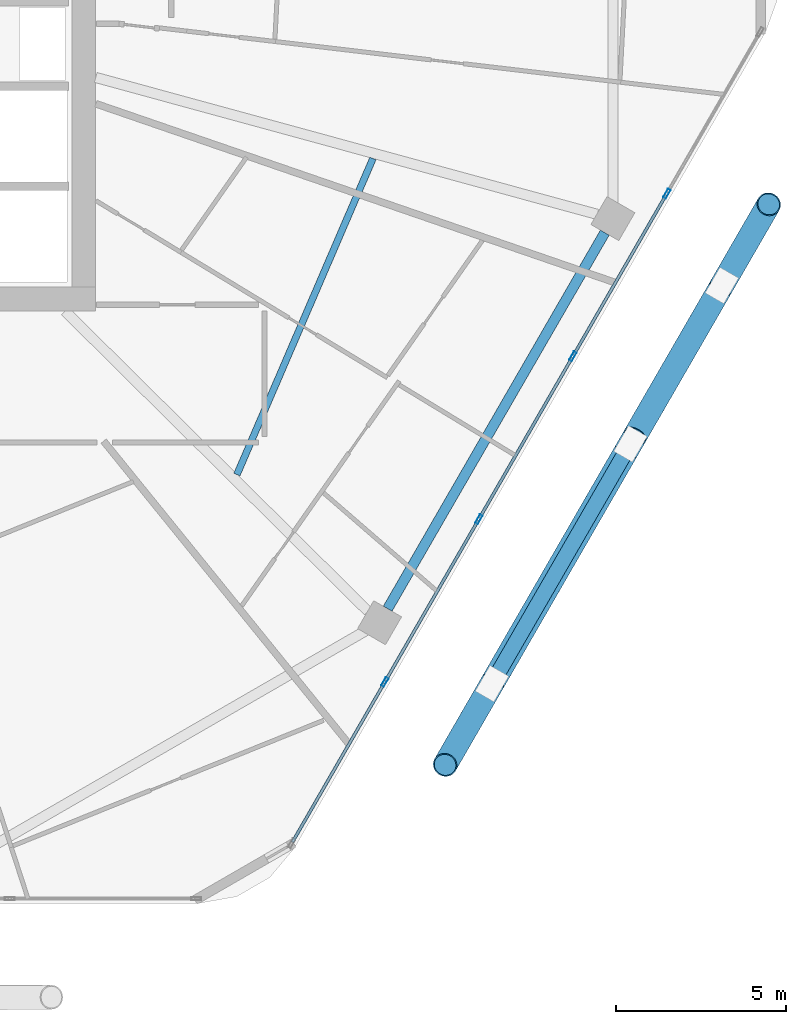
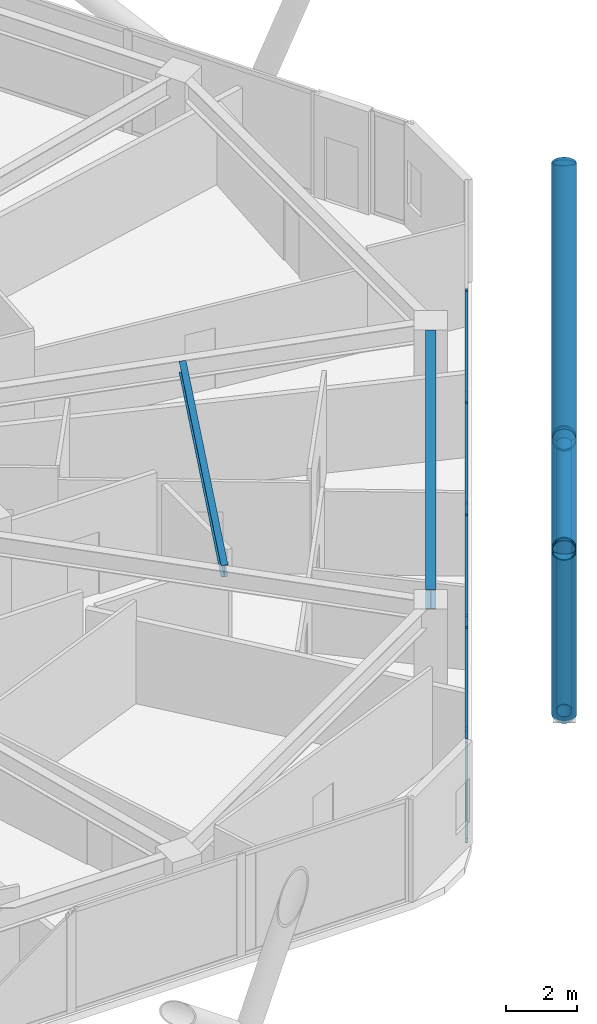
# One storey, part 8 of 27: 18 members, 2 beams, 1 element without a shape of its own.
"""IFC4 building model written with IfcOpenShell, lengths in metres."""

from ifc_helpers import new_model, si_unit, direction, frame, origin, origin_2d, place, context, subcontext, project, spatial, hollow_rectangle, hollow_circle, i_section, extrude, material, material_profile, profile_set, type_object, element, aggregate, save


model = new_model("IFC4")

# Units and contexts
model_context = context("Model", 3, precision=1e-05, world=origin(), true_north=direction((0.0, 1.0)))
body_context = subcontext(model_context, "Body", "Model", "MODEL_VIEW")
ifc_project = project(units=[si_unit("LENGTHUNIT", "METRE"), si_unit("AREAUNIT", "SQUARE_METRE"), si_unit("VOLUMEUNIT", "CUBIC_METRE"), si_unit("PLANEANGLEUNIT", "RADIAN"), si_unit("MASSUNIT", "GRAM", prefix="KILO")], contexts=[model_context])

# Site, building, storey
site_placement = place(None, origin())
site = spatial("IfcSite", under=ifc_project, at=site_placement, CompositionType="ELEMENT")
building_placement = place(site_placement, origin())
building = spatial("IfcBuilding", under=site, at=building_placement, Name="Zuhravey Tower", CompositionType="ELEMENT")
storey_placement = place(building_placement, frame((0.0, 0.0, 215.0)))
storey = spatial("IfcBuildingStorey", under=building, at=storey_placement, Name="L54", CompositionType="ELEMENT", Elevation=215.0)

# Curtain wall, members
ifc_material_1 = material(Name="Thermally broken anodised aluminium", Category="aluminium")
curtain_wall_type = type_object("IfcCurtainWallType", Name="Zone 1-2 Residential Curtain Wall CW3", PredefinedType="NOTDEFINED", material=ifc_material_1)
curtain_wall_placement = place(storey_placement, origin())
curtain_wall = element("IfcCurtainWall", 1, at=curtain_wall_placement, inside=storey, type_object=curtain_wall_type, Name="L54 CW3 CW-L54-F6-1", PredefinedType="NOTDEFINED")
ifc_material_2 = material(Name="Anodised aluminium", Category="aluminium")
ifc_material_profile_1 = material_profile(ifc_material_2, hollow_rectangle(XDim=0.090087890625, YDim=0.284912109375, WallThickness=0.0048828125, at=origin_2d()), Name="ALU-RHS-90x285x5")
ifc_profile_set_1 = profile_set([ifc_material_profile_1], Name="Anodised aluminium")
member_type_1 = type_object("IfcMemberType", Name="Curtain-Wall Mullion 90x180", PredefinedType="MULLION", material=ifc_profile_set_1)
member_1_placement = place(storey_placement, frame((63.699462890625, 25.61083984375, 0.0), z_axis=(0.0, 0.0, 1.0), x_axis=(0.866025138215, -0.500000459979, 0.0)))
member_1 = element("IfcMember", 2, at=member_1_placement, type_object=member_type_1, Name="CW3 mullion 2", PredefinedType="MULLION", context=body_context, shape_type="SweptSolid", body=[
    extrude(hollow_rectangle(XDim=0.090087890625, YDim=0.284912109375, WallThickness=0.0048828125, at=origin_2d()), origin(), (0.0, 0.0, 1.0), 3.550048828125),
])
member_2_placement = place(storey_placement, frame((60.92724609375, 20.809326171875, 0.0), z_axis=(0.0, 0.0, 1.0), x_axis=(0.866025138215, -0.500000459979, 0.0)))
member_2 = element("IfcMember", 3, at=member_2_placement, type_object=member_type_1, Name="CW3 mullion 3", PredefinedType="MULLION", context=body_context, shape_type="SweptSolid", body=[
    extrude(hollow_rectangle(XDim=0.090087890625, YDim=0.284912109375, WallThickness=0.0048828125, at=origin_2d()), origin(), (0.0, 0.0, 1.0), 3.550048828125),
])
member_3_placement = place(storey_placement, frame((58.155029296875, 16.007568359375, 0.0), z_axis=(0.0, 0.0, 1.0), x_axis=(0.866025138215, -0.500000459979, 0.0)))
member_3 = element("IfcMember", 4, at=member_3_placement, type_object=member_type_1, Name="CW3 mullion 4", PredefinedType="MULLION", context=body_context, shape_type="SweptSolid", body=[
    extrude(hollow_rectangle(XDim=0.090087890625, YDim=0.284912109375, WallThickness=0.0048828125, at=origin_2d()), origin(), (0.0, 0.0, 1.0), 3.550048828125),
])
member_4_placement = place(storey_placement, frame((55.3828125, 11.2060546875, 0.0), z_axis=(0.0, 0.0, 1.0), x_axis=(0.866025138215, -0.500000459979, 0.0)))
member_4 = element("IfcMember", 5, at=member_4_placement, type_object=member_type_1, Name="CW3 mullion 5", PredefinedType="MULLION", context=body_context, shape_type="SweptSolid", body=[
    extrude(hollow_rectangle(XDim=0.090087890625, YDim=0.284912109375, WallThickness=0.0048828125, at=origin_2d()), origin(), (0.0, 0.0, 1.0), 3.550048828125),
])
ifc_material_profile_2 = material_profile(ifc_material_2, hollow_rectangle(XDim=0.090087890625, YDim=0.14990234375, WallThickness=0.0048828125, at=origin_2d()), Name="ALU-RHS-90x150x5")
ifc_profile_set_2 = profile_set([ifc_material_profile_2], Name="Anodised aluminium")
member_type_2 = type_object("IfcMemberType", Name="Curtain-Wall Transom 90x150", PredefinedType="USERDEFINED", material=ifc_profile_set_2)
member_5_placement = place(storey_placement, frame((63.677001953125, 25.572021484375, 0.044921875), z_axis=(-0.49996138257, -0.86604769842, 0.0), x_axis=(0.86604769842, -0.49996138257, 0.0)))
member_5 = element("IfcMember", 6, at=member_5_placement, type_object=member_type_2, Name="CW3 transom 2.1", ObjectType="TRANSOM", PredefinedType="USERDEFINED", context=body_context, shape_type="SweptSolid", body=[
    extrude(hollow_rectangle(XDim=0.090087890625, YDim=0.14990234375, WallThickness=0.0048828125, at=origin_2d()), origin(), (0.0, 0.0, 1.0), 5.45458984375),
])
member_6_placement = place(storey_placement, frame((63.677001953125, 25.572021484375, 3.5048828125), z_axis=(-0.49996138257, -0.86604769842, 0.0), x_axis=(0.86604769842, -0.49996138257, 0.0)))
member_6 = element("IfcMember", 7, at=member_6_placement, type_object=member_type_2, Name="CW3 transom 2.2", ObjectType="TRANSOM", PredefinedType="USERDEFINED", context=body_context, shape_type="SweptSolid", body=[
    extrude(hollow_rectangle(XDim=0.090087890625, YDim=0.14990234375, WallThickness=0.0048828125, at=origin_2d()), origin(), (0.0, 0.0, 1.0), 5.45458984375),
])
member_7_placement = place(storey_placement, frame((60.90478515625, 20.770263671875, 0.044921875), z_axis=(-0.499980763544, -0.866036509673, 0.0), x_axis=(0.866036509673, -0.499980763544, 0.0)))
member_7 = element("IfcMember", 8, at=member_7_placement, type_object=member_type_2, Name="CW3 transom 3.1", ObjectType="TRANSOM", PredefinedType="USERDEFINED", context=body_context, shape_type="SweptSolid", body=[
    extrude(hollow_rectangle(XDim=0.090087890625, YDim=0.14990234375, WallThickness=0.0048828125, at=origin_2d()), origin(), (0.0, 0.0, 1.0), 5.454345703125),
])
member_8_placement = place(storey_placement, frame((60.90478515625, 20.770263671875, 3.5048828125), z_axis=(-0.499980763544, -0.866036509673, 0.0), x_axis=(0.866036509673, -0.499980763544, 0.0)))
member_8 = element("IfcMember", 9, at=member_8_placement, type_object=member_type_2, Name="CW3 transom 3.2", ObjectType="TRANSOM", PredefinedType="USERDEFINED", context=body_context, shape_type="SweptSolid", body=[
    extrude(hollow_rectangle(XDim=0.090087890625, YDim=0.14990234375, WallThickness=0.0048828125, at=origin_2d()), origin(), (0.0, 0.0, 1.0), 5.454345703125),
])
member_9_placement = place(storey_placement, frame((58.132568359375, 15.96875, 0.044921875), z_axis=(-0.49996138257, -0.86604769842, 0.0), x_axis=(0.86604769842, -0.49996138257, 0.0)))
member_9 = element("IfcMember", 10, at=member_9_placement, type_object=member_type_2, Name="CW3 transom 4.1", ObjectType="TRANSOM", PredefinedType="USERDEFINED", context=body_context, shape_type="SweptSolid", body=[
    extrude(hollow_rectangle(XDim=0.090087890625, YDim=0.14990234375, WallThickness=0.0048828125, at=origin_2d()), origin(), (0.0, 0.0, 1.0), 5.45458984375),
])
member_10_placement = place(storey_placement, frame((58.132568359375, 15.96875, 3.5048828125), z_axis=(-0.49996138257, -0.86604769842, 0.0), x_axis=(0.86604769842, -0.49996138257, 0.0)))
member_10 = element("IfcMember", 11, at=member_10_placement, type_object=member_type_2, Name="CW3 transom 4.2", ObjectType="TRANSOM", PredefinedType="USERDEFINED", context=body_context, shape_type="SweptSolid", body=[
    extrude(hollow_rectangle(XDim=0.090087890625, YDim=0.14990234375, WallThickness=0.0048828125, at=origin_2d()), origin(), (0.0, 0.0, 1.0), 5.45458984375),
])
member_11_placement = place(storey_placement, frame((55.3603515625, 11.1669921875, 0.044921875), z_axis=(-0.499993332629, -0.866029253159, 0.0), x_axis=(0.866029253159, -0.499993332629, 0.0)))
member_11 = element("IfcMember", 12, at=member_11_placement, type_object=member_type_2, Name="CW3 transom 5.1", ObjectType="TRANSOM", PredefinedType="USERDEFINED", context=body_context, shape_type="SweptSolid", body=[
    extrude(hollow_rectangle(XDim=0.090087890625, YDim=0.14990234375, WallThickness=0.0048828125, at=origin_2d()), origin(), (0.0, 0.0, 1.0), 5.4091796875),
])
member_12_placement = place(storey_placement, frame((55.3603515625, 11.1669921875, 3.5048828125), z_axis=(-0.499993332629, -0.866029253159, 0.0), x_axis=(0.866029253159, -0.499993332629, 0.0)))
member_12 = element("IfcMember", 13, at=member_12_placement, type_object=member_type_2, Name="CW3 transom 5.2", ObjectType="TRANSOM", PredefinedType="USERDEFINED", context=body_context, shape_type="SweptSolid", body=[
    extrude(hollow_rectangle(XDim=0.090087890625, YDim=0.14990234375, WallThickness=0.0048828125, at=origin_2d()), origin(), (0.0, 0.0, 1.0), 5.4091796875),
])
aggregate(curtain_wall, [member_1, member_2, member_3, member_4, member_5, member_6, member_7, member_8, member_9, member_10, member_11, member_12])

# Members
ifc_material_3 = material(Name="Steel SM355", Category="steel")
ifc_material_profile_3 = material_profile(ifc_material_3, hollow_circle(Radius=0.228515625, WallThickness=0.02197265625, at=origin_2d()), Name="CHS-457.2x22")
ifc_profile_set_3 = profile_set([ifc_material_profile_3], Name="Steel SM355")
member_type_3 = type_object("IfcMemberType", Name="Exoskeleton Ring Tie CHS457x22", PredefinedType="CHORD", material=ifc_profile_set_3)
member_13_placement = place(storey_placement, frame((58.611083984375, 11.27734375, -0.464111328125), z_axis=(0.500004091344, 0.866023041633, 0.0), x_axis=(-0.866023041633, 0.500004091344, 0.0)))
element("IfcMember", 14, at=member_13_placement, inside=storey, type_object=member_type_3, Name="L54 Exoskeleton Face 6 Tie EXR1", PredefinedType="CHORD", context=body_context, shape_type="SweptSolid", body=[
    extrude(hollow_circle(Radius=0.228515625, WallThickness=0.02197265625, at=origin_2d()), origin(), (0.0, 0.0, 1.0), 13.28173828125),
])
ifc_material_4 = material(Name="Steel SM460", Category="steel")
ifc_material_profile_4 = material_profile(ifc_material_4, hollow_circle(Radius=0.355712890625, WallThickness=0.031982421875, at=origin_2d()), Name="CHS-711.2x32")
ifc_profile_set_4 = profile_set([ifc_material_profile_4], Name="Steel SM460")
member_type_4 = type_object("IfcMemberType", Name="Exoskeleton Zone 2 Diagrid CHS711x32", PredefinedType="BRACE", material=ifc_profile_set_4)
member_14_placement = place(storey_placement, frame((58.537353515625, 11.149658203125, -0.444091796875), z_axis=(-0.171428917165, -0.296929081792, 0.939385568734), x_axis=(0.866029404905, -0.499993069792, 0.0)))
element("IfcMember", 15, at=member_14_placement, inside=storey, type_object=member_type_4, Name="L54 Face 6 Diagrid Brace 1", PredefinedType="BRACE", context=body_context, shape_type="SweptSolid", body=[
    extrude(hollow_circle(Radius=0.355712890625, WallThickness=0.031982421875, at=origin_2d()), origin(), (0.0, 0.0, 1.0), 8.0478515625),
])
member_15_placement = place(storey_placement, frame((58.5625, 11.193115234375, -0.444091796875), z_axis=(0.453338388553, 0.785209877744, 0.421817203724), x_axis=(-0.866026715089, 0.499997728747, 0.0)))
element("IfcMember", 16, at=member_15_placement, inside=storey, type_object=member_type_4, Name="L54 Face 6 Diagrid Brace 2", PredefinedType="BRACE", context=body_context, shape_type="SweptSolid", body=[
    extrude(hollow_circle(Radius=0.355712890625, WallThickness=0.031982421875, at=origin_2d()), origin(), (0.0, 0.0, 1.0), 17.922607421875),
])
member_16_placement = place(storey_placement, frame((65.32568359375, 22.9072265625, -0.444091796875), z_axis=(0.171428917165, 0.296929081792, 0.939385568734), x_axis=(-0.866029404905, 0.499993069792, 0.0)))
element("IfcMember", 17, at=member_16_placement, inside=storey, type_object=member_type_4, Name="L54 Face 6 Diagrid Brace 4", PredefinedType="BRACE", context=body_context, shape_type="SweptSolid", body=[
    extrude(hollow_circle(Radius=0.355712890625, WallThickness=0.031982421875, at=origin_2d()), origin(), (0.0, 0.0, 1.0), 8.0478515625),
])
member_17_placement = place(storey_placement, frame((65.302734375, 22.867431640625, -0.436767578125), z_axis=(-0.408775424455, -0.70798015044, 0.575905164887), x_axis=(0.866013277291, -0.500021003115, 0.0)))
element("IfcMember", 18, at=member_17_placement, inside=storey, type_object=member_type_4, Name="L54 Face 6 Split Diagrid Brace 3A", PredefinedType="BRACE", context=body_context, shape_type="SweptSolid", body=[
    extrude(hollow_circle(Radius=0.355712890625, WallThickness=0.031982421875, at=origin_2d()), origin(), (0.0, 0.0, 1.0), 6.205322265625),
])
member_18_placement = place(storey_placement, frame((62.4619140625, 17.947021484375, 3.449462890625), z_axis=(-0.472348530884, -0.818090201503, 0.32804769101), x_axis=(0.866014433275, -0.500019000998, 0.0)))
element("IfcMember", 19, at=member_18_placement, inside=storey, type_object=member_type_4, Name="L54 Face 6 Split Diagrid Brace 3B", PredefinedType="BRACE", context=body_context, shape_type="SweptSolid", body=[
    extrude(hollow_circle(Radius=0.355712890625, WallThickness=0.031982421875, at=origin_2d()), origin(), (0.0, 0.0, 1.0), 11.190185546875),
])

# Beams
ifc_material_profile_5 = material_profile(ifc_material_3, i_section(OverallWidth=0.300048828125, OverallDepth=0.679931640625, WebThickness=0.012939453125, FlangeThickness=0.02197265625, at=origin_2d()), Name="H-680x300x13x22")
ifc_profile_set_5 = profile_set([ifc_material_profile_5], Name="Steel SM355")
beam_type_1 = type_object("IfcBeamType", Name="Perimeter Ring Beam H680x300", PredefinedType="BEAM", material=ifc_profile_set_5)
beam_1_placement = place(storey_placement, frame((55.464599609375, 13.367431640625, 3.2099609375), z_axis=(0.500003505699, 0.866023379758, 0.0), x_axis=(-0.866023379758, 0.500003505699, 0.0)))
element("IfcBeam", 20, at=beam_1_placement, inside=storey, type_object=beam_type_1, Name="L54 PB2 BM-L54-PB-11", PredefinedType="BEAM", context=body_context, shape_type="SweptSolid", body=[
    extrude(i_section(OverallWidth=0.300048828125, OverallDepth=0.679931640625, WebThickness=0.012939453125, FlangeThickness=0.02197265625, at=origin_2d()), origin(), (0.0, 0.0, 1.0), 12.80810546875),
])
ifc_material_profile_6 = material_profile(ifc_material_3, i_section(OverallWidth=0.199951171875, OverallDepth=0.39990234375, WebThickness=0.008056640625, FlangeThickness=0.012939453125, at=origin_2d()), Name="H-400x200x8x13")
ifc_profile_set_6 = profile_set([ifc_material_profile_6], Name="Steel SM355")
beam_type_2 = type_object("IfcBeamType", Name="Secondary Floor Joist H400x200", PredefinedType="JOIST", material=ifc_profile_set_6)
beam_2_placement = place(storey_placement, frame((51.017578125, 17.323974609375, 3.35009765625), z_axis=(0.395265853487, 0.918566766799, 0.0), x_axis=(-0.918566766799, 0.395265853487, 0.0)))
element("IfcBeam", 21, at=beam_2_placement, inside=storey, type_object=beam_type_2, Name="L54 SJ2 BM-L54-SJ-11-1", PredefinedType="JOIST", context=body_context, shape_type="SweptSolid", body=[
    extrude(i_section(OverallWidth=0.199951171875, OverallDepth=0.39990234375, WebThickness=0.008056640625, FlangeThickness=0.012939453125, at=origin_2d()), origin(), (0.0, 0.0, 1.0), 10.150146484375),
])

save(model, "model.ifc")
